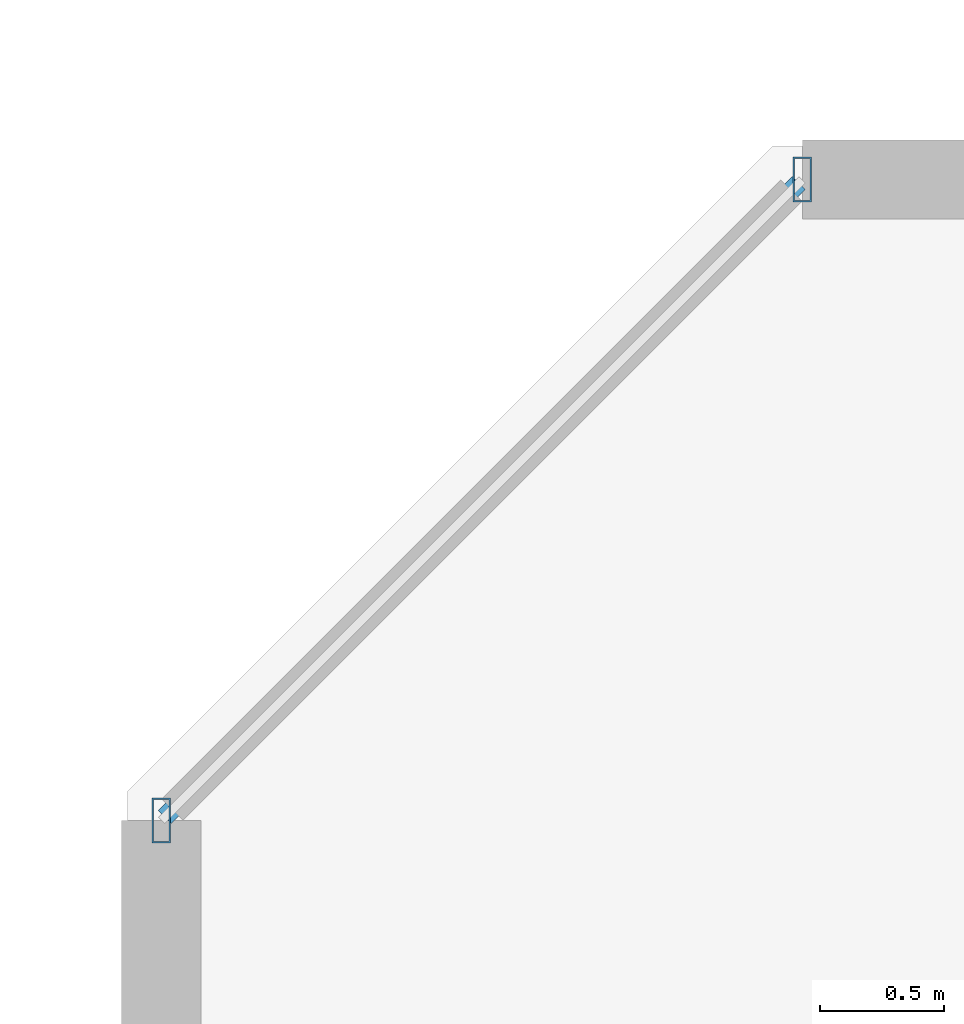
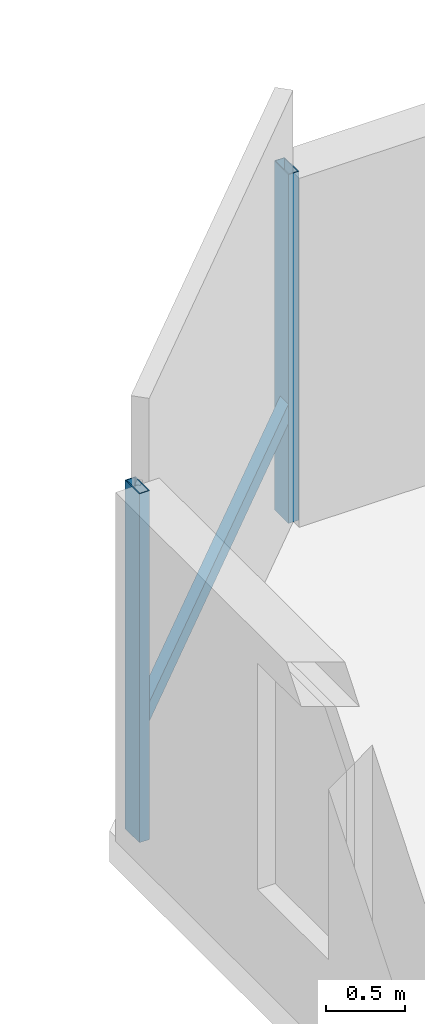
# One storey, part 15 of 33: 3 members, 1 element without a shape of its own.
"""IFC4 building model written with IfcOpenShell, lengths in metres."""

from ifc_helpers import new_model, si_unit, direction, frame, origin, origin_2d, place, context, subcontext, project, spatial, hollow_rectangle, extrude, material, material_profile, profile_set, type_object, element, aggregate, save


model = new_model("IFC4")

# Units and contexts
model_context = context("Model", 3, precision=1e-05, world=origin(), true_north=direction((0.0, 1.0)))
body_context = subcontext(model_context, "Body", "Model", "MODEL_VIEW")
ifc_project = project(units=[si_unit("LENGTHUNIT", "METRE"), si_unit("AREAUNIT", "SQUARE_METRE"), si_unit("VOLUMEUNIT", "CUBIC_METRE"), si_unit("PLANEANGLEUNIT", "RADIAN"), si_unit("MASSUNIT", "GRAM", prefix="KILO")], contexts=[model_context])

# Site, building, storey
site_placement = place(None, origin())
site = spatial("IfcSite", under=ifc_project, at=site_placement, CompositionType="ELEMENT")
building_placement = place(site_placement, origin())
building = spatial("IfcBuilding", under=site, at=building_placement, Name="Thornwick Lancets Civic Towers", CompositionType="ELEMENT")
storey_placement = place(building_placement, frame((0.0, 0.0, 210.89990234375)))
storey = spatial("IfcBuildingStorey", under=building, at=storey_placement, Name="L56", CompositionType="ELEMENT", Elevation=210.89990234375)

# Curtain wall, members
ifc_material_1 = material(Name="High-zone chamfered-corner unitised glass curtain wall", Category="glass")
curtain_wall_type = type_object("IfcCurtainWallType", Name="CW_SYS_05", PredefinedType="NOTDEFINED", material=ifc_material_1)
curtain_wall_placement = place(storey_placement, origin())
curtain_wall = element("IfcCurtainWall", 1, at=curtain_wall_placement, inside=storey, type_object=curtain_wall_type, Name="L56 Curtain Wall CW-L56-B-E5", PredefinedType="NOTDEFINED")
ifc_material_2 = material(Name="Thermally broken bronze aluminium S355", Category="steel")
ifc_material_profile_1 = material_profile(ifc_material_2, hollow_rectangle(XDim=0.074951171875, YDim=0.179931640625, WallThickness=0.006103515625, at=origin_2d()), Name="RHS 180x75x6")
ifc_profile_set_1 = profile_set([ifc_material_profile_1], Name="Thermally broken bronze aluminium S355")
member_type_1 = type_object("IfcMemberType", Name="CW_MUL_180", PredefinedType="MULLION", material=ifc_profile_set_1)
member_1_placement = place(storey_placement, frame((67.318603515625, 44.7646484375, 0.0), z_axis=(0.0, 0.0, 1.0), x_axis=(1.0, 0.0, 0.0)))
member_1 = element("IfcMember", 2, at=member_1_placement, type_object=member_type_1, Name="CW-L56-B-E5 Mullion 0", PredefinedType="MULLION", context=body_context, shape_type="SweptSolid", body=[
    extrude(hollow_rectangle(XDim=0.074951171875, YDim=0.179931640625, WallThickness=0.006103515625, at=origin_2d()), origin(), (0.0, 0.0, 1.0), 2.7001953125),
])
member_2_placement = place(storey_placement, frame((64.7353515625, 42.181396484375, 0.0), z_axis=(0.0, 0.0, 1.0), x_axis=(1.0, 0.0, 0.0)))
member_2 = element("IfcMember", 3, at=member_2_placement, type_object=member_type_1, Name="CW-L56-B-E5 Mullion 1", PredefinedType="MULLION", context=body_context, shape_type="SweptSolid", body=[
    extrude(hollow_rectangle(XDim=0.074951171875, YDim=0.179931640625, WallThickness=0.006103515625, at=origin_2d()), origin(), (0.0, 0.0, 1.0), 2.7001953125),
])
ifc_material_profile_2 = material_profile(ifc_material_2, hollow_rectangle(XDim=0.074951171875, YDim=0.14990234375, WallThickness=0.0048828125, at=origin_2d()), Name="RHS 150x75x5")
ifc_profile_set_2 = profile_set([ifc_material_profile_2], Name="Thermally broken bronze aluminium S355")
member_type_2 = type_object("IfcMemberType", Name="CW_TRN_150", PredefinedType="USERDEFINED", material=ifc_profile_set_2)
member_3_placement = place(storey_placement, frame((67.304443359375, 44.75048828125, 0.85009765625), z_axis=(-0.707106781187, -0.707106781187, 0.0), x_axis=(0.707106781187, -0.707106781187, 0.0)))
member_3 = element("IfcMember", 4, at=member_3_placement, type_object=member_type_2, Name="CW-L56-B-E5 Transom 0", ObjectType="TRANSOM", PredefinedType="USERDEFINED", context=body_context, shape_type="SweptSolid", body=[
    extrude(hollow_rectangle(XDim=0.074951171875, YDim=0.14990234375, WallThickness=0.0048828125, at=origin_2d()), origin(), (0.0, 0.0, 1.0), 3.61328125),
])
aggregate(curtain_wall, [member_1, member_2, member_3])

save(model, "model.ifc")
